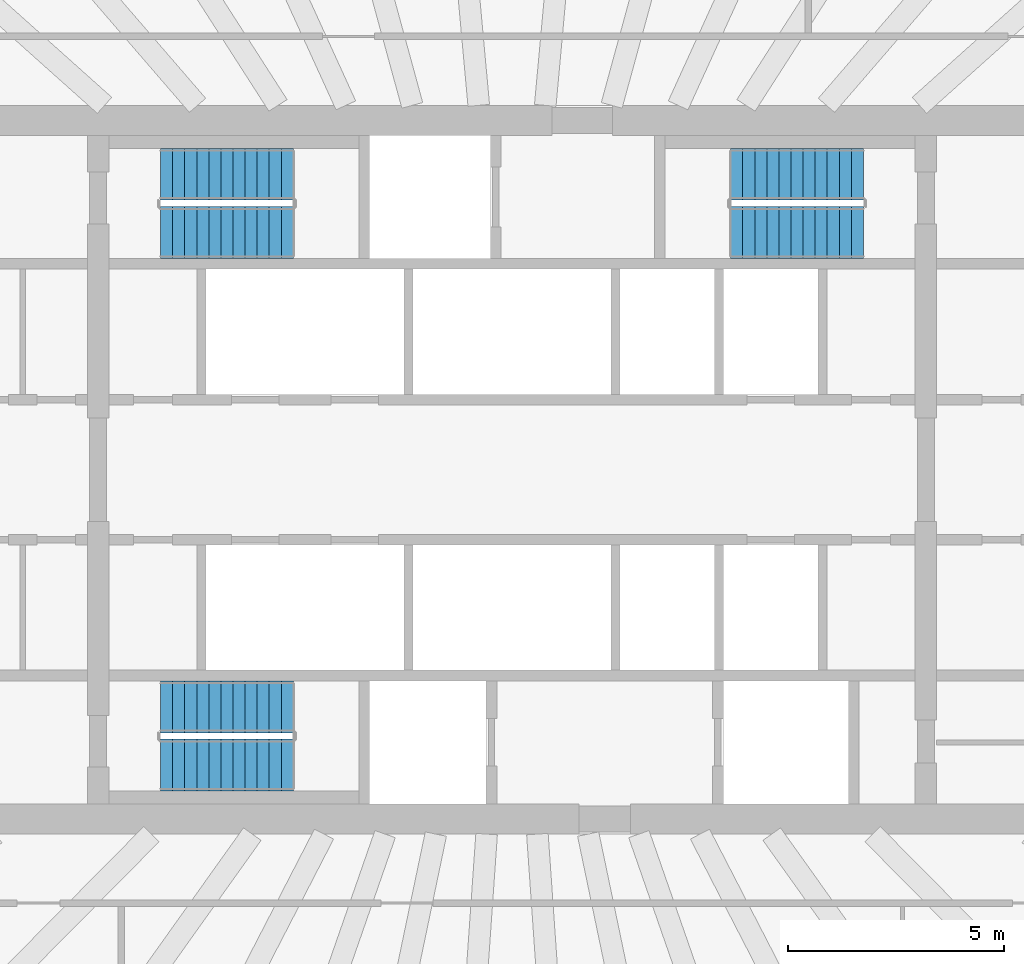
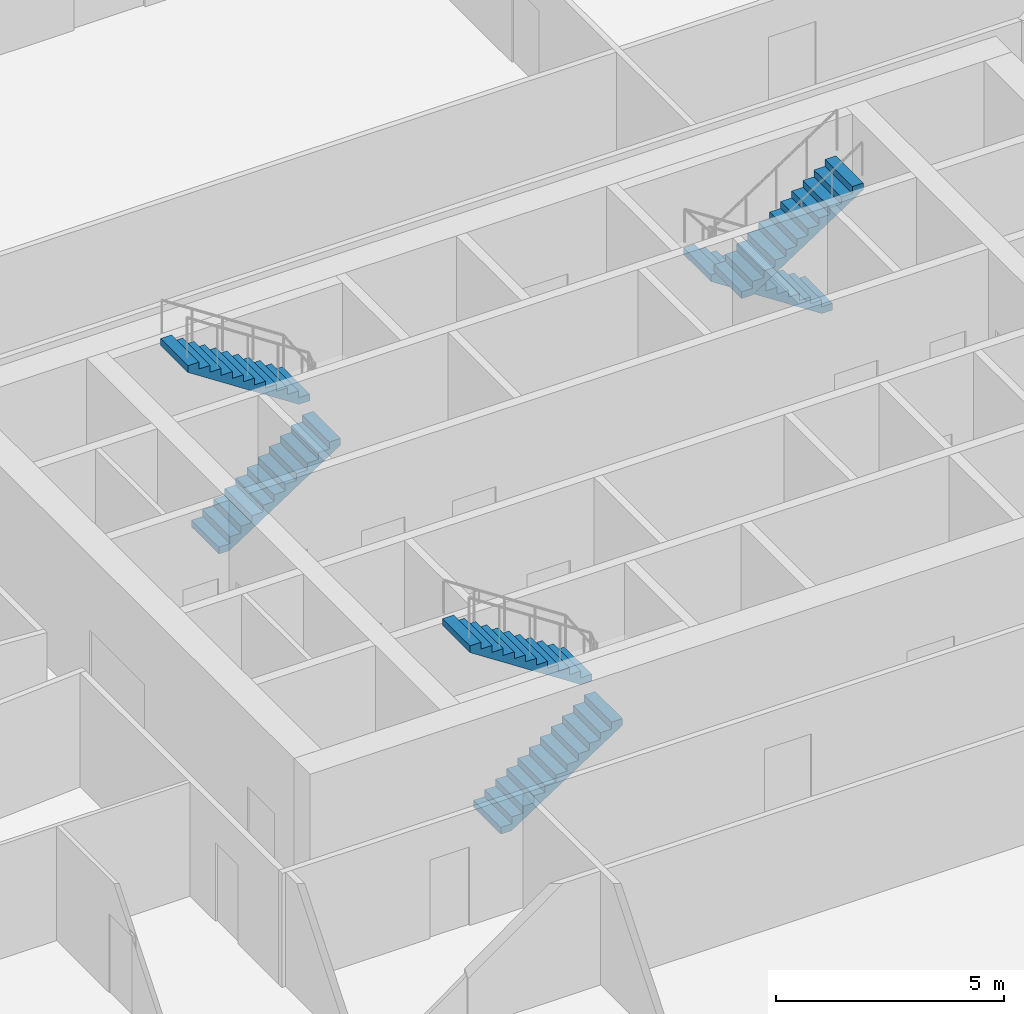
# One storey, part 8 of 12: 6 stair flights, 3 elements without a shape of their own.
"""IFC4 building model written with IfcOpenShell, lengths in metres."""

from ifc_helpers import new_model, si_unit, direction, frame, origin, place, context, subcontext, project, spatial, polyline, outline, extrude, material, layer, layer_set, type_object, element, aggregate, save


model = new_model("IFC4")

# Units and contexts
model_context = context("Model", 3, precision=1e-05, world=origin(), true_north=direction((0.0, 1.0)))
body_context = subcontext(model_context, "Body", "Model", "MODEL_VIEW")
ifc_project = project(units=[si_unit("LENGTHUNIT", "METRE"), si_unit("AREAUNIT", "SQUARE_METRE"), si_unit("VOLUMEUNIT", "CUBIC_METRE"), si_unit("PLANEANGLEUNIT", "RADIAN"), si_unit("MASSUNIT", "GRAM", prefix="KILO")], contexts=[model_context])

# Site, building, storey
site_placement = place(None, origin())
site = spatial("IfcSite", under=ifc_project, at=site_placement, CompositionType="ELEMENT")
building_placement = place(site_placement, origin())
building = spatial("IfcBuilding", under=site, at=building_placement, Name="Frailejon Research Tower", CompositionType="ELEMENT")
storey_placement = place(building_placement, frame((0.0, 0.0, 189.199951171875)))
storey = spatial("IfcBuildingStorey", under=building, at=storey_placement, Name="L41", CompositionType="ELEMENT", Elevation=189.199951171875)

# Stair, stair flights
ifc_material_1 = material(Name="Concrete C50/60", Category="concrete")
stair_type = type_object("IfcStairType", Name="Exit stair 24 risers", PredefinedType="HALF_TURN_STAIR", material=ifc_material_1)
stair_1_placement = place(storey_placement, origin())
stair_1 = element("IfcStair", 1, at=stair_1_placement, inside=storey, type_object=stair_type, Name="L41 Exit stair ST1", PredefinedType="HALF_TURN_STAIR")
ifc_material_2 = material(Name="Concrete C50/60", Category="concrete")
ifc_layer = layer(ifc_material_2, 0.14990234375)
ifc_layer_set = layer_set([ifc_layer], Name="Stair flight 12 risers")
stair_flight_type = type_object("IfcStairFlightType", Name="Stair flight 12 risers", PredefinedType="STRAIGHT", material=ifc_layer_set)
stair_flight_1_placement = place(storey_placement, frame((-8.14990234375, 5.5, 0.0), z_axis=(0.0, 0.0, 1.0), x_axis=(1.0, 0.0, 0.0)))
stair_flight_1 = element("IfcStairFlight", 2, at=stair_flight_1_placement, type_object=stair_flight_type, Name="ST1 flight 1", NumberOfRisers=12, NumberOfTreads=11, PredefinedType="STRAIGHT", RiserHeight=0.183333333, TreadLength=0.28, context=body_context, shape_type="SweptSolid", body=[
    extrude(outline(polyline([(0.0, 0.0), (0.0, 0.183349609375), (0.280029296875, 0.183349609375), (0.280029296875, 0.36669921875), (0.56005859375, 0.36669921875), (0.56005859375, 0.550048828125), (0.840087890625, 0.550048828125), (0.840087890625, 0.7333984375), (1.1201171875, 0.7333984375), (1.1201171875, 0.916748046875), (1.39990234375, 0.916748046875), (1.39990234375, 1.10009765625), (1.679931640625, 1.10009765625), (1.679931640625, 1.283447265625), (1.9599609375, 1.283447265625), (1.9599609375, 1.466552734375), (2.239990234375, 1.466552734375), (2.239990234375, 1.64990234375), (2.52001953125, 1.64990234375), (2.52001953125, 1.833251953125), (2.800048828125, 1.833251953125), (2.800048828125, 2.0166015625), (3.080078125, 2.0166015625), (3.080078125, 2.199951171875), (3.080078125, 1.83740234375), (0.273681640625, 0.0), (0.0, 0.0)])), frame((0.0, 0.60009765625, 0.0), z_axis=(0.0, -1.0, 0.0), x_axis=(1.0, 0.0, 0.0)), (0.0, 0.0, 1.0), 1.199951171875),
])
stair_flight_2_placement = place(storey_placement, frame((-5.070068359375, 6.85009765625, 2.199951171875), z_axis=(0.0, 0.0, 1.0), x_axis=(-1.0, 0.0, 0.0)))
stair_flight_2 = element("IfcStairFlight", 3, at=stair_flight_2_placement, type_object=stair_flight_type, Name="ST1 flight 2", NumberOfRisers=12, NumberOfTreads=11, PredefinedType="STRAIGHT", RiserHeight=0.183333333, TreadLength=0.28, context=body_context, shape_type="SweptSolid", body=[
    extrude(outline(polyline([(0.0, 0.0), (0.0, 0.183349609375), (0.280029296875, 0.183349609375), (0.280029296875, 0.36669921875), (0.56005859375, 0.36669921875), (0.56005859375, 0.550048828125), (0.840087890625, 0.550048828125), (0.840087890625, 0.7333984375), (1.1201171875, 0.7333984375), (1.1201171875, 0.916748046875), (1.39990234375, 0.916748046875), (1.39990234375, 1.10009765625), (1.679931640625, 1.10009765625), (1.679931640625, 1.283447265625), (1.9599609375, 1.283447265625), (1.9599609375, 1.466552734375), (2.239990234375, 1.466552734375), (2.239990234375, 1.64990234375), (2.52001953125, 1.64990234375), (2.52001953125, 1.833251953125), (2.800048828125, 1.833251953125), (2.800048828125, 2.0166015625), (3.080078125, 2.0166015625), (3.080078125, 2.199951171875), (3.080078125, 1.83740234375), (0.273681640625, 0.0), (0.0, 0.0)])), frame((0.0, 0.60009765625, 0.0), z_axis=(0.0, -1.0, 0.0), x_axis=(1.0, 0.0, 0.0)), (0.0, 0.0, 1.0), 1.199951171875),
])
aggregate(stair_1, [stair_flight_1, stair_flight_2])

stair_2_placement = place(storey_placement, origin())
stair_2 = element("IfcStair", 4, at=stair_2_placement, inside=storey, type_object=stair_type, Name="L41 Exit stair ST2", PredefinedType="HALF_TURN_STAIR")
stair_flight_3_placement = place(storey_placement, frame((-8.14990234375, -6.85009765625, 0.0), z_axis=(0.0, 0.0, 1.0), x_axis=(1.0, 0.0, 0.0)))
stair_flight_3 = element("IfcStairFlight", 5, at=stair_flight_3_placement, type_object=stair_flight_type, Name="ST2 flight 1", NumberOfRisers=12, NumberOfTreads=11, PredefinedType="STRAIGHT", RiserHeight=0.183333333, TreadLength=0.28, context=body_context, shape_type="SweptSolid", body=[
    extrude(outline(polyline([(0.0, 0.0), (0.0, 0.183349609375), (0.280029296875, 0.183349609375), (0.280029296875, 0.36669921875), (0.56005859375, 0.36669921875), (0.56005859375, 0.550048828125), (0.840087890625, 0.550048828125), (0.840087890625, 0.7333984375), (1.1201171875, 0.7333984375), (1.1201171875, 0.916748046875), (1.39990234375, 0.916748046875), (1.39990234375, 1.10009765625), (1.679931640625, 1.10009765625), (1.679931640625, 1.283447265625), (1.9599609375, 1.283447265625), (1.9599609375, 1.466552734375), (2.239990234375, 1.466552734375), (2.239990234375, 1.64990234375), (2.52001953125, 1.64990234375), (2.52001953125, 1.833251953125), (2.800048828125, 1.833251953125), (2.800048828125, 2.0166015625), (3.080078125, 2.0166015625), (3.080078125, 2.199951171875), (3.080078125, 1.83740234375), (0.273681640625, 0.0), (0.0, 0.0)])), frame((0.0, 0.60009765625, 0.0), z_axis=(0.0, -1.0, 0.0), x_axis=(1.0, 0.0, 0.0)), (0.0, 0.0, 1.0), 1.199951171875),
])
stair_flight_4_placement = place(storey_placement, frame((-5.070068359375, -5.5, 2.199951171875), z_axis=(0.0, 0.0, 1.0), x_axis=(-1.0, 0.0, 0.0)))
stair_flight_4 = element("IfcStairFlight", 6, at=stair_flight_4_placement, type_object=stair_flight_type, Name="ST2 flight 2", NumberOfRisers=12, NumberOfTreads=11, PredefinedType="STRAIGHT", RiserHeight=0.183333333, TreadLength=0.28, context=body_context, shape_type="SweptSolid", body=[
    extrude(outline(polyline([(0.0, 0.0), (0.0, 0.183349609375), (0.280029296875, 0.183349609375), (0.280029296875, 0.36669921875), (0.56005859375, 0.36669921875), (0.56005859375, 0.550048828125), (0.840087890625, 0.550048828125), (0.840087890625, 0.7333984375), (1.1201171875, 0.7333984375), (1.1201171875, 0.916748046875), (1.39990234375, 0.916748046875), (1.39990234375, 1.10009765625), (1.679931640625, 1.10009765625), (1.679931640625, 1.283447265625), (1.9599609375, 1.283447265625), (1.9599609375, 1.466552734375), (2.239990234375, 1.466552734375), (2.239990234375, 1.64990234375), (2.52001953125, 1.64990234375), (2.52001953125, 1.833251953125), (2.800048828125, 1.833251953125), (2.800048828125, 2.0166015625), (3.080078125, 2.0166015625), (3.080078125, 2.199951171875), (3.080078125, 1.83740234375), (0.273681640625, 0.0), (0.0, 0.0)])), frame((0.0, 0.60009765625, 0.0), z_axis=(0.0, -1.0, 0.0), x_axis=(1.0, 0.0, 0.0)), (0.0, 0.0, 1.0), 1.199951171875),
])
aggregate(stair_2, [stair_flight_3, stair_flight_4])

stair_3_placement = place(storey_placement, origin())
stair_3 = element("IfcStair", 7, at=stair_3_placement, inside=storey, type_object=stair_type, Name="L41 Exit stair ST3", PredefinedType="HALF_TURN_STAIR")
stair_flight_5_placement = place(storey_placement, frame((8.14990234375, 6.85009765625, 0.0), z_axis=(0.0, 0.0, 1.0), x_axis=(-1.0, 0.0, 0.0)))
stair_flight_5 = element("IfcStairFlight", 8, at=stair_flight_5_placement, type_object=stair_flight_type, Name="ST3 flight 1", NumberOfRisers=12, NumberOfTreads=11, PredefinedType="STRAIGHT", RiserHeight=0.183333333, TreadLength=0.28, context=body_context, shape_type="SweptSolid", body=[
    extrude(outline(polyline([(0.0, 0.0), (0.0, 0.183349609375), (0.280029296875, 0.183349609375), (0.280029296875, 0.36669921875), (0.56005859375, 0.36669921875), (0.56005859375, 0.550048828125), (0.840087890625, 0.550048828125), (0.840087890625, 0.7333984375), (1.1201171875, 0.7333984375), (1.1201171875, 0.916748046875), (1.39990234375, 0.916748046875), (1.39990234375, 1.10009765625), (1.679931640625, 1.10009765625), (1.679931640625, 1.283447265625), (1.9599609375, 1.283447265625), (1.9599609375, 1.466552734375), (2.239990234375, 1.466552734375), (2.239990234375, 1.64990234375), (2.52001953125, 1.64990234375), (2.52001953125, 1.833251953125), (2.800048828125, 1.833251953125), (2.800048828125, 2.0166015625), (3.080078125, 2.0166015625), (3.080078125, 2.199951171875), (3.080078125, 1.83740234375), (0.273681640625, 0.0), (0.0, 0.0)])), frame((0.0, 0.60009765625, 0.0), z_axis=(0.0, -1.0, 0.0), x_axis=(1.0, 0.0, 0.0)), (0.0, 0.0, 1.0), 1.199951171875),
])
stair_flight_6_placement = place(storey_placement, frame((5.070068359375, 5.5, 2.199951171875), z_axis=(0.0, 0.0, 1.0), x_axis=(1.0, 0.0, 0.0)))
stair_flight_6 = element("IfcStairFlight", 9, at=stair_flight_6_placement, type_object=stair_flight_type, Name="ST3 flight 2", NumberOfRisers=12, NumberOfTreads=11, PredefinedType="STRAIGHT", RiserHeight=0.183333333, TreadLength=0.28, context=body_context, shape_type="SweptSolid", body=[
    extrude(outline(polyline([(0.0, 0.0), (0.0, 0.183349609375), (0.280029296875, 0.183349609375), (0.280029296875, 0.36669921875), (0.56005859375, 0.36669921875), (0.56005859375, 0.550048828125), (0.840087890625, 0.550048828125), (0.840087890625, 0.7333984375), (1.1201171875, 0.7333984375), (1.1201171875, 0.916748046875), (1.39990234375, 0.916748046875), (1.39990234375, 1.10009765625), (1.679931640625, 1.10009765625), (1.679931640625, 1.283447265625), (1.9599609375, 1.283447265625), (1.9599609375, 1.466552734375), (2.239990234375, 1.466552734375), (2.239990234375, 1.64990234375), (2.52001953125, 1.64990234375), (2.52001953125, 1.833251953125), (2.800048828125, 1.833251953125), (2.800048828125, 2.0166015625), (3.080078125, 2.0166015625), (3.080078125, 2.199951171875), (3.080078125, 1.83740234375), (0.273681640625, 0.0), (0.0, 0.0)])), frame((0.0, 0.60009765625, 0.0), z_axis=(0.0, -1.0, 0.0), x_axis=(1.0, 0.0, 0.0)), (0.0, 0.0, 1.0), 1.199951171875),
])
aggregate(stair_3, [stair_flight_5, stair_flight_6])

save(model, "model.ifc")
